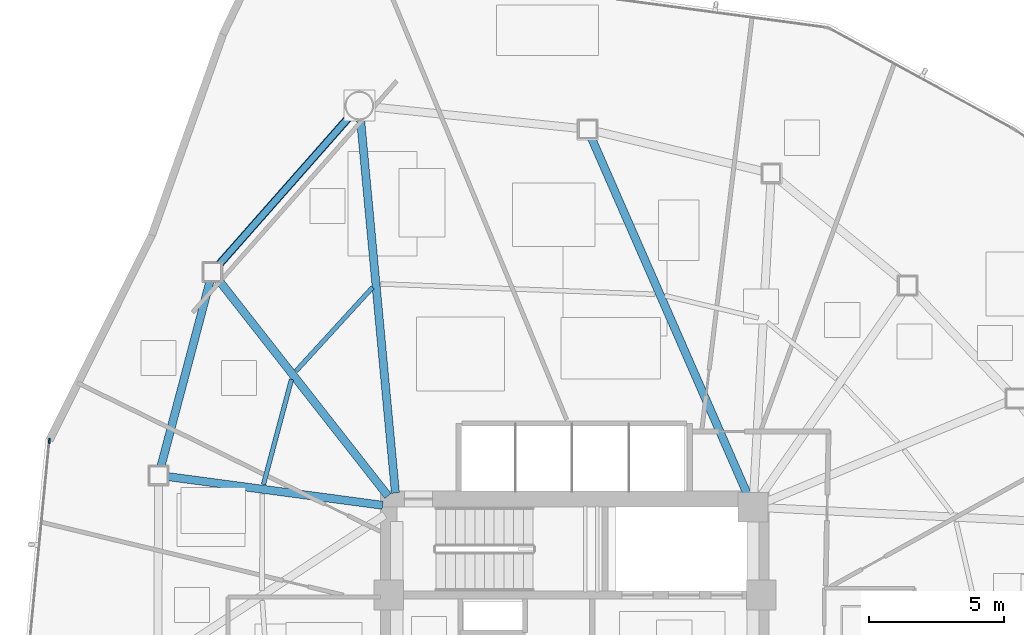
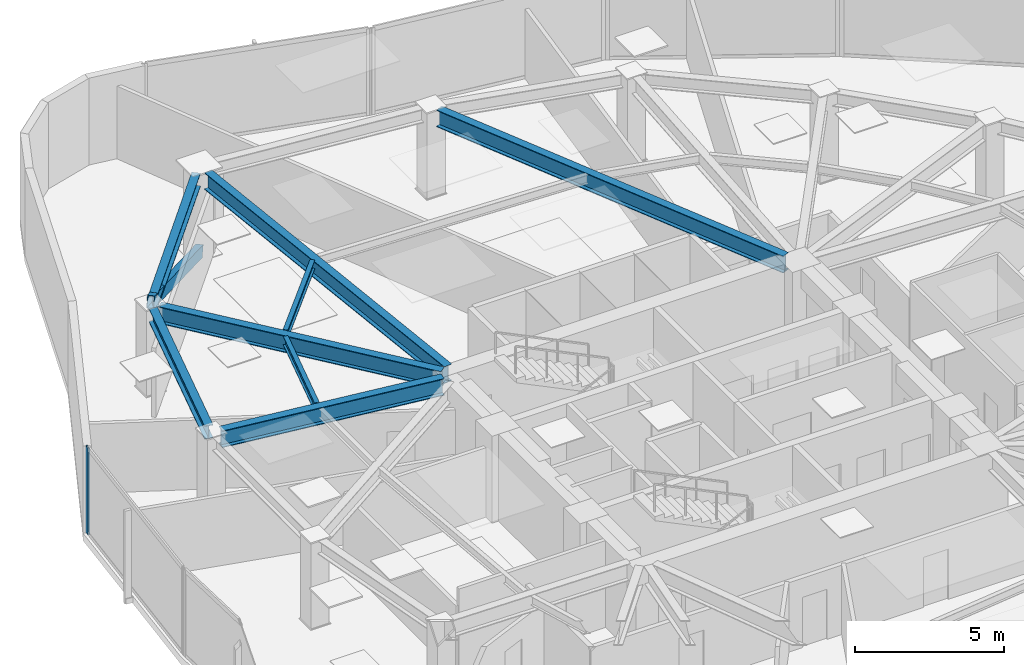
# One storey, part 7 of 17: 8 beams, 2 members, 1 element without a shape of its own.
"""IFC4 building model written with IfcOpenShell, lengths in metres."""

from ifc_helpers import new_model, si_unit, direction, frame, origin, origin_2d, place, context, subcontext, project, spatial, hollow_rectangle, i_section, extrude, source, transform, mapped, material, layer, layer_set, material_profile, profile_set, type_object, type_shapes, element, aggregate, save


model = new_model("IFC4")

# Units and contexts
model_context = context("Model", 3, precision=1e-05, world=origin(), true_north=direction((0.0, 1.0)))
body_context = subcontext(model_context, "Body", "Model", "MODEL_VIEW")
ifc_project = project(units=[si_unit("LENGTHUNIT", "METRE"), si_unit("AREAUNIT", "SQUARE_METRE"), si_unit("VOLUMEUNIT", "CUBIC_METRE"), si_unit("PLANEANGLEUNIT", "RADIAN"), si_unit("MASSUNIT", "GRAM", prefix="KILO")], contexts=[model_context])

# Site, building, storey
site_placement = place(None, origin())
site = spatial("IfcSite", under=ifc_project, at=site_placement, CompositionType="ELEMENT")
building_placement = place(site_placement, origin())
building = spatial("IfcBuilding", under=site, at=building_placement, Name="Tavelor Broadcast Tower", CompositionType="ELEMENT")
storey_placement = place(building_placement, frame((0.0, 0.0, 150.25)))
storey = spatial("IfcBuildingStorey", under=building, at=storey_placement, Name="L35", CompositionType="ELEMENT", Elevation=150.25)

# Beams
ifc_material_1 = material(Name="Steel S355", Category="steel")
ifc_material_profile_1 = material_profile(ifc_material_1, i_section(OverallWidth=0.169921875, OverallDepth=0.360107421875, WebThickness=0.008056640625, FlangeThickness=0.0126953125, at=origin_2d()), Name="IPE 360")
ifc_profile_set_1 = profile_set([ifc_material_profile_1], Name="Steel S355")
beam_type_1 = type_object("IfcBeamType", Name="Composite Floor Joist T3 IPE 360", PredefinedType="JOIST", material=ifc_profile_set_1)
beam_1_placement = place(storey_placement, frame((42.505126953125, 59.344970703125, 3.3701171875), z_axis=(-0.675177020038, -0.737655740581, 0.0), x_axis=(0.737655740581, -0.675177020038, 0.0)))
element("IfcBeam", 1, at=beam_1_placement, inside=storey, type_object=beam_type_1, Name="L35 Secondary Composite Floor Joist 01", PredefinedType="JOIST", context=body_context, shape_type="SweptSolid", body=[
    extrude(i_section(OverallWidth=0.169921875, OverallDepth=0.360107421875, WebThickness=0.008056640625, FlangeThickness=0.0126953125, at=origin_2d()), origin(), (0.0, 0.0, 1.0), 4.20068359375),
])
beam_2_placement = place(storey_placement, frame((39.5, 55.937744140625, 3.3701171875), z_axis=(-0.257647578953, -0.966238958571, 0.0), x_axis=(0.966238958571, -0.257647578953, 0.0)))
element("IfcBeam", 2, at=beam_2_placement, inside=storey, type_object=beam_type_1, Name="L35 Secondary Composite Floor Joist 02", PredefinedType="JOIST", context=body_context, shape_type="SweptSolid", body=[
    extrude(i_section(OverallWidth=0.169921875, OverallDepth=0.360107421875, WebThickness=0.008056640625, FlangeThickness=0.0126953125, at=origin_2d()), origin(), (0.0, 0.0, 1.0), 4.032958984375),
])
ifc_material_profile_2 = material_profile(ifc_material_1, i_section(OverallWidth=0.300048828125, OverallDepth=0.550048828125, WebThickness=0.014892578125, FlangeThickness=0.029052734375, at=origin_2d()), Name="HEB 550")
ifc_profile_set_2 = profile_set([ifc_material_profile_2], Name="Steel S355")
beam_type_2 = type_object("IfcBeamType", Name="Perimeter Spandrel Beam T3 HEB 550", PredefinedType="SPANDREL", material=ifc_profile_set_2)
beam_3_placement = place(storey_placement, frame((41.67236328125, 65.69580078125, 3.27490234375), z_axis=(-0.661628202511, -0.749832062292, 0.0), x_axis=(0.749832062292, -0.661628202511, 0.0)))
element("IfcBeam", 3, at=beam_3_placement, inside=storey, type_object=beam_type_2, Name="L35 Framed-Tube Ring Spandrel 01", PredefinedType="SPANDREL", context=body_context, shape_type="SweptSolid", body=[
    extrude(i_section(OverallWidth=0.300048828125, OverallDepth=0.550048828125, WebThickness=0.014892578125, FlangeThickness=0.029052734375, at=origin_2d()), origin(), (0.0, 0.0, 1.0), 7.379150390625),
])
beam_4_placement = place(storey_placement, frame((36.481689453125, 59.5859375, 3.27490234375), z_axis=(-0.255779440044, -0.966735164381, 0.0), x_axis=(0.966735164381, -0.255779440044, 0.0)))
element("IfcBeam", 4, at=beam_4_placement, inside=storey, type_object=beam_type_2, Name="L35 Framed-Tube Ring Spandrel 02", PredefinedType="SPANDREL", context=body_context, shape_type="SweptSolid", body=[
    extrude(i_section(OverallWidth=0.300048828125, OverallDepth=0.550048828125, WebThickness=0.014892578125, FlangeThickness=0.029052734375, at=origin_2d()), origin(), (0.0, 0.0, 1.0), 7.11865234375),
])

# Member
ifc_material_profile_3 = material_profile(ifc_material_1, hollow_rectangle(XDim=0.25, YDim=0.449951171875, WallThickness=0.02001953125, at=origin_2d()), Name="RHS 450x250x20")
ifc_profile_set_3 = profile_set([ifc_material_profile_3], Name="Steel S355")
member_type_1 = type_object("IfcMemberType", Name="Perimeter Tube Brace T3 RHS 450x250x20", PredefinedType="BRACE", material=ifc_profile_set_3)
member_1_placement = place(storey_placement, frame((42.01123046875, 66.080078125, 0.0), z_axis=(-0.607484590691, -0.688484352459, 0.396171387776), x_axis=(0.74983872131, -0.661620655681, 0.0)))
element("IfcMember", 5, at=member_1_placement, inside=storey, type_object=member_type_1, Name="L35 Corner Tube Diagonal Brace 1", PredefinedType="BRACE", context=body_context, shape_type="SweptSolid", body=[
    extrude(hollow_rectangle(XDim=0.25, YDim=0.449951171875, WallThickness=0.02001953125, at=origin_2d()), origin(), (0.0, 0.0, 1.0), 8.9609375),
])

# Beams
ifc_material_profile_4 = material_profile(ifc_material_1, i_section(OverallWidth=0.300048828125, OverallDepth=0.68994140625, WebThickness=0.014404296875, FlangeThickness=0.027099609375, at=origin_2d()), Name="HEA 700")
ifc_profile_set_4 = profile_set([ifc_material_profile_4], Name="Steel S355")
beam_type_3 = type_object("IfcBeamType", Name="Radial Floor Girder T3 HEA 700", PredefinedType="BEAM", material=ifc_profile_set_4)
beam_5_placement = place(storey_placement, frame((43.350830078125, 51.7255859375, 3.205078125), z_axis=(-0.092918079293, 0.995673757081, 0.0), x_axis=(-0.995673757081, -0.092918079293, 0.0)))
element("IfcBeam", 6, at=beam_5_placement, inside=storey, type_object=beam_type_3, Name="L35 Radial Primary Floor Girder 01", PredefinedType="BEAM", context=body_context, shape_type="SweptSolid", body=[
    extrude(i_section(OverallWidth=0.300048828125, OverallDepth=0.68994140625, WebThickness=0.014404296875, FlangeThickness=0.027099609375, at=origin_2d()), origin(), (0.0, 0.0, 1.0), 13.904541015625),
])
beam_6_placement = place(storey_placement, frame((43.07421875, 51.615478515625, 3.205078125), z_axis=(-0.617166360417, 0.786832690964, 0.0), x_axis=(-0.786832690964, -0.617166360417, 0.0)))
element("IfcBeam", 7, at=beam_6_placement, inside=storey, type_object=beam_type_3, Name="L35 Radial Primary Floor Girder 02", PredefinedType="BEAM", context=body_context, shape_type="SweptSolid", body=[
    extrude(i_section(OverallWidth=0.300048828125, OverallDepth=0.68994140625, WebThickness=0.014404296875, FlangeThickness=0.027099609375, at=origin_2d()), origin(), (0.0, 0.0, 1.0), 10.20654296875),
])
beam_7_placement = place(storey_placement, frame((42.876708984375, 51.27001953125, 3.205078125), z_axis=(-0.991191527329, 0.132436234281, 0.0), x_axis=(-0.132436234281, -0.991191527329, 0.0)))
element("IfcBeam", 8, at=beam_7_placement, inside=storey, type_object=beam_type_3, Name="L35 Radial Primary Floor Girder 03", PredefinedType="BEAM", context=body_context, shape_type="SweptSolid", body=[
    extrude(i_section(OverallWidth=0.300048828125, OverallDepth=0.68994140625, WebThickness=0.014404296875, FlangeThickness=0.027099609375, at=origin_2d()), origin(), (0.0, 0.0, 1.0), 8.039306640625),
])
beam_8_placement = place(storey_placement, frame((56.38818359375, 51.68359375, 3.205078125), z_axis=(-0.400896102053, 0.916123526255, 0.0), x_axis=(-0.916123526255, -0.400896102053, 0.0)))
element("IfcBeam", 9, at=beam_8_placement, inside=storey, type_object=beam_type_3, Name="L35 Radial Primary Floor Girder 18", PredefinedType="BEAM", context=body_context, shape_type="SweptSolid", body=[
    extrude(i_section(OverallWidth=0.300048828125, OverallDepth=0.68994140625, WebThickness=0.014404296875, FlangeThickness=0.027099609375, at=origin_2d()), origin(), (0.0, 0.0, 1.0), 14.420166015625),
])

# Curtain wall, member
ifc_material_2 = material(Name="Architectural Anodized Aluminium", Category="aluminium")
ifc_layer = layer(ifc_material_2, 0.18994140625)
ifc_layer_set = layer_set([ifc_layer], Name="Architectural Anodized Aluminium")
curtain_wall_type = type_object("IfcCurtainWallType", Name="Tower Mid-Zone Acoustic Curtain Wall CW03", PredefinedType="NOTDEFINED", material=ifc_layer_set)
curtain_wall_placement = place(storey_placement, origin())
curtain_wall = element("IfcCurtainWall", 10, at=curtain_wall_placement, inside=storey, type_object=curtain_wall_type, Name="L35 Curtain Wall CW03 Run 361", PredefinedType="NOTDEFINED")
ifc_material_profile_5 = material_profile(ifc_material_2, hollow_rectangle(XDim=0.068115234375, YDim=0.18994140625, WallThickness=0.02197265625, at=origin_2d()), Name="RHS 68x190x22")
ifc_profile_set_5 = profile_set([ifc_material_profile_5], Name="Architectural Anodized Aluminium")
member_type_2 = type_object("IfcMemberType", Name="CW03 Extruded Aluminium Mullion 68x190", PredefinedType="MULLION", material=ifc_profile_set_5)
shared_shape = source(origin(), body_context, "Body", "SweptSolid", [
    extrude(hollow_rectangle(XDim=0.068115234375, YDim=0.18994140625, WallThickness=0.02197265625, at=origin_2d()), origin(), (0.0, 0.0, 1.0), 3.550048828125),
])
type_shapes(member_type_2, [shared_shape])
member_2_placement = place(storey_placement, frame((30.526611328125, 53.65380859375, 0.0), z_axis=(0.0, 0.0, 1.0), x_axis=(0.995269187717, -0.097155771729, 0.0)))
member_2 = element("IfcMember", 11, at=member_2_placement, type_object=member_type_2, Name="CW03 mullion 1", PredefinedType="MULLION", context=body_context, shape_type="MappedRepresentation", body=[
    mapped(shared_shape, transform((0.0, 0.0, 0.0), scale=1.0)),
])
aggregate(curtain_wall, [member_2])

save(model, "model.ifc")
